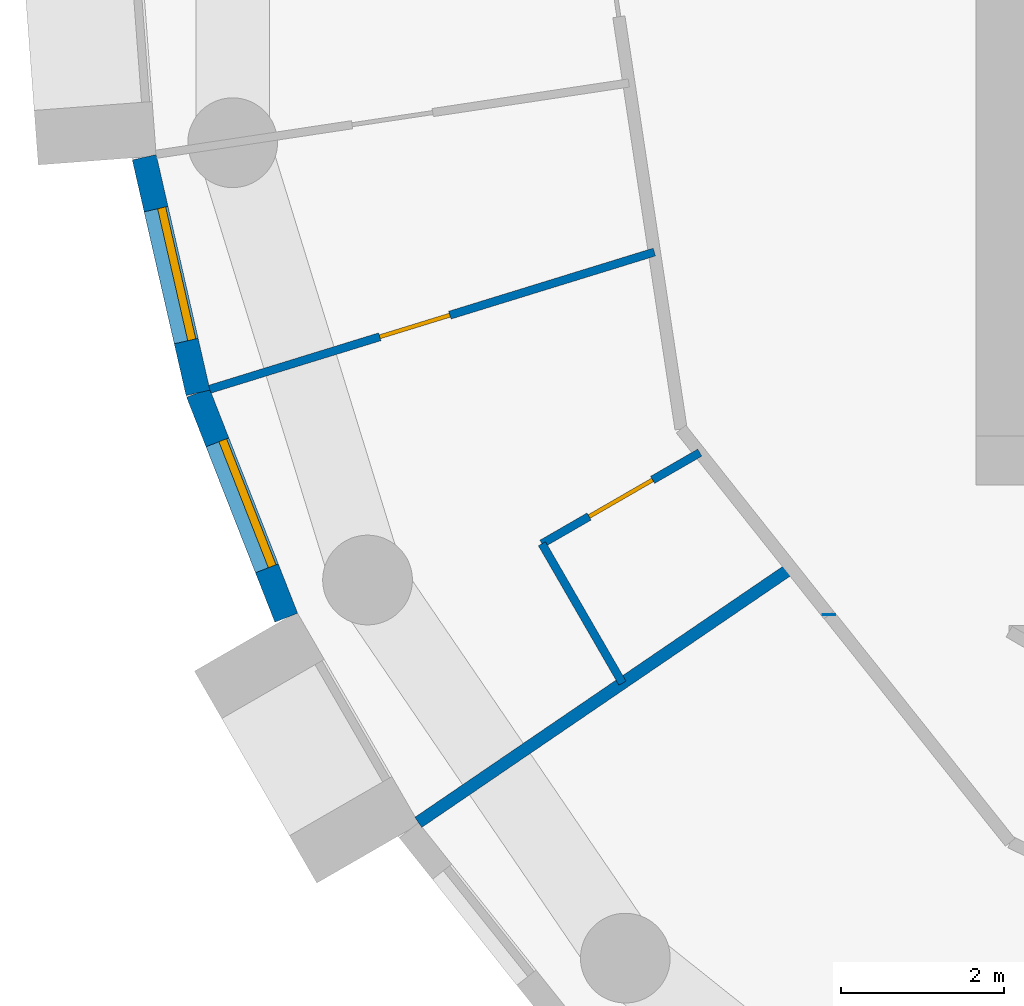
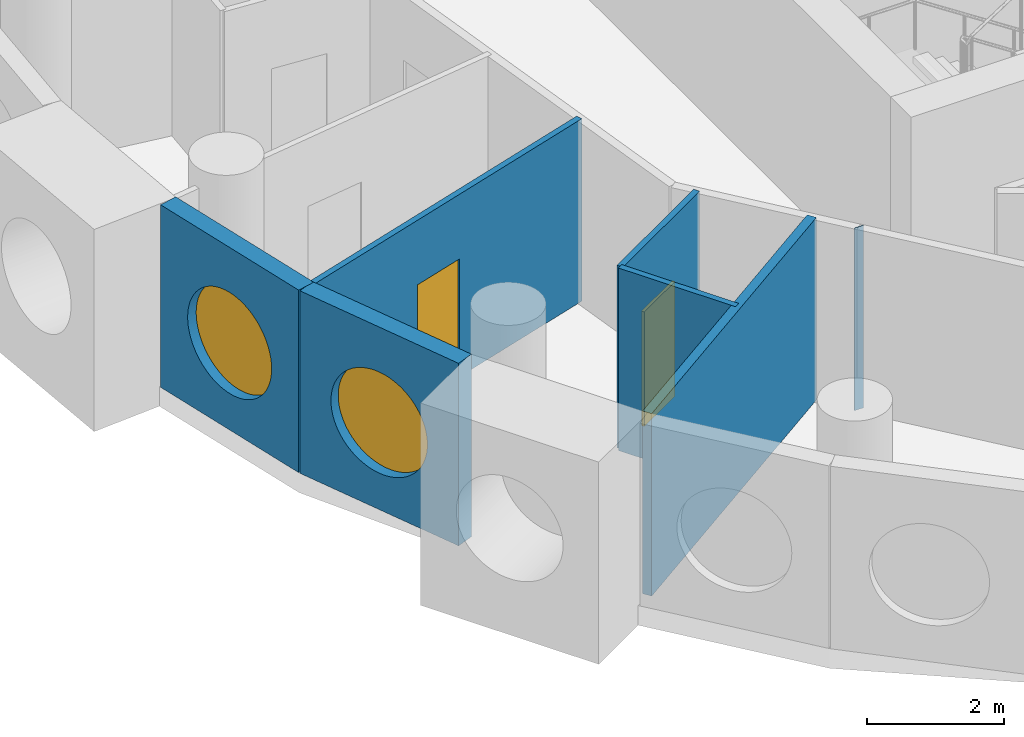
# One storey, part 2 of 11: 7 walls, 2 doors, 2 windows, 4 openings.
"""IFC4 building model written with IfcOpenShell, lengths in metres."""

import ifcopenshell
import ifcopenshell.guid

model = None  # the IFC model being written
_history = None  # IfcOwnerHistory: only IFC2X3 demands one
_inside = {}  # id of a spatial element -> (the spatial element, [elements in it])
_under = {}  # id of a project, library or spatial element -> (it, [spatial elements below it])
_declared = {}  # id of a project -> (the project, [libraries it declares])
_typed = {}  # id of a type object -> (the type object, [elements of that type])
_made_of = {}  # id of a material, layer set ... -> (it, [elements and type objects made of it])


def new_model(schema):
    """Start an empty IFC model of exactly this schema.

    Asked for "IFC4X3", IfcOpenShell would pick the latest addendum, in which some entities
    have other attributes; the version numbers below select the first issue.
    IFC2X3 requires an IfcOwnerHistory on every rooted entity: one is made here for all.
    """
    global model, _history
    if schema == "IFC4X3":
        model = ifcopenshell.file(schema_version=(4, 3, 0, 0))
    else:
        model = ifcopenshell.file(schema=schema)
    _inside.clear()
    _under.clear()
    _declared.clear()
    _typed.clear()
    _made_of.clear()
    _history = None
    if model.schema == "IFC2X3":
        org = make("IfcOrganization", Name="unknown")
        user = make(
            "IfcPersonAndOrganization",
            ThePerson=make("IfcPerson", FamilyName="unknown"),
            TheOrganization=org,
        )
        app = make(
            "IfcApplication",
            ApplicationDeveloper=org,
            Version="unknown",
            ApplicationFullName="unknown",
            ApplicationIdentifier="unknown",
        )
        _history = make(
            "IfcOwnerHistory",
            OwningUser=user,
            OwningApplication=app,
            ChangeAction="ADDED",
            CreationDate=0,
        )
    return model


def make(cls, **values):
    """One entity of the class cls with the attributes given. An attribute that is None is left unset."""
    return model.create_entity(
        cls, **{name: value for name, value in values.items() if value is not None}
    )


def rooted(cls, **values):
    """An entity with a GlobalId (a new one), such as an element, a storey or a relation."""
    return make(cls, GlobalId=ifcopenshell.guid.new(), OwnerHistory=_history, **values)


def si_unit(unit_type, name, prefix=None):
    """IfcSIUnit, for example si_unit("LENGTHUNIT", "METRE", prefix="MILLI")."""
    return make("IfcSIUnit", UnitType=unit_type, Prefix=prefix, Name=name)


def assignment(units):
    """IfcUnitAssignment: the units of a project."""
    return None if units is None else make("IfcUnitAssignment", Units=units)


def point(xyz):
    """IfcCartesianPoint."""
    return None if xyz is None else make("IfcCartesianPoint", Coordinates=xyz)


def direction(xyz):
    """IfcDirection."""
    return None if xyz is None else make("IfcDirection", DirectionRatios=xyz)


def frame(location, z_axis=None, x_axis=None):
    """IfcAxis2Placement3D, a coordinate frame: its origin and axes. An axis left out is left unset."""
    return make(
        "IfcAxis2Placement3D",
        Location=point(location),
        Axis=direction(z_axis),
        RefDirection=direction(x_axis),
    )


def frame_2d(location, x_axis=None):
    """IfcAxis2Placement2D, a coordinate frame in the plane: its origin and x axis."""
    return make(
        "IfcAxis2Placement2D", Location=point(location), RefDirection=direction(x_axis)
    )


def origin():
    """The frame at (0, 0, 0) with its axes left unset."""
    return frame((0.0, 0.0, 0.0))


def origin_2d():
    """The frame at (0, 0) in the plane with its x axis left unset."""
    return frame_2d((0.0, 0.0))


def place(relative_to, where):
    """IfcLocalPlacement: puts the frame where relative to a parent placement (None: the world)."""
    return make(
        "IfcLocalPlacement", PlacementRelTo=relative_to, RelativePlacement=where
    )


def context(
    kind, dimensions, precision=None, world=None, true_north=None, identifier=None
):
    """IfcGeometricRepresentationContext, for example the 3D "Model" context."""
    return make(
        "IfcGeometricRepresentationContext",
        ContextIdentifier=identifier,
        ContextType=kind,
        CoordinateSpaceDimension=dimensions,
        Precision=precision,
        WorldCoordinateSystem=world,
        TrueNorth=true_north,
    )


def subcontext(parent, identifier, kind, view, scale=None):
    """IfcGeometricRepresentationSubContext, for example "Body" below "Model"."""
    return make(
        "IfcGeometricRepresentationSubContext",
        ContextIdentifier=identifier,
        ContextType=kind,
        ParentContext=parent,
        TargetScale=scale,
        TargetView=view,
    )


def project(units=None, contexts=None):
    """IfcProject with its units and contexts."""
    return rooted(
        "IfcProject",
        Name="project",
        RepresentationContexts=contexts,
        UnitsInContext=assignment(units),
    )


def spatial(cls, under=None, at=None, **own):
    """A site, building, storey or space (cls), placed at a placement, below another one or the project."""
    s = rooted(cls, ObjectPlacement=at, **own)
    if under is not None:
        _under.setdefault(under.id(), (under, []))[1].append(s)
    return s


def profile(cls, at=None, kind="AREA", **sizes):
    """A parametric profile (cls). Its sizes go by their IFC names, for example OverallWidth=200.0."""
    return make(cls, ProfileType=kind, Position=at, **sizes)


def rectangle(**sizes):
    """IfcRectangleProfileDef."""
    return profile("IfcRectangleProfileDef", **sizes)


def circle(**sizes):
    """IfcCircleProfileDef."""
    return profile("IfcCircleProfileDef", **sizes)


def extrude(swept, where, along, depth):
    """IfcExtrudedAreaSolid: the profile swept, set in the frame where, extruded along a direction by depth."""
    return make(
        "IfcExtrudedAreaSolid",
        SweptArea=swept,
        Position=where,
        ExtrudedDirection=direction(along),
        Depth=depth,
    )


def shape(context_of_items, identifier, shape_type, items):
    """IfcShapeRepresentation: the items that make up one representation, for example the "Body"."""
    return make(
        "IfcShapeRepresentation",
        ContextOfItems=context_of_items,
        RepresentationIdentifier=identifier,
        RepresentationType=shape_type,
        Items=items,
    )


def material(Name=None, Category=None):
    """IfcMaterial."""
    return make("IfcMaterial", Name=Name, Category=Category)


def layer(
    of_material, thickness, ventilated=None, Name=None, Category=None, Priority=None
):
    """IfcMaterialLayer: one layer of a wall or slab, of a material (None: an air gap)."""
    return make(
        "IfcMaterialLayer",
        Material=of_material,
        LayerThickness=thickness,
        IsVentilated=ventilated,
        Name=Name,
        Category=Category,
        Priority=Priority,
    )


def layer_set(layers, Name=None):
    """IfcMaterialLayerSet."""
    return make("IfcMaterialLayerSet", MaterialLayers=layers, LayerSetName=Name)


def made_of(thing, what):
    """Note that an element or type object is made of a material, layer set ...; save() writes the relation."""
    if what is not None:
        _made_of.setdefault(what.id(), (what, []))[1].append(thing)
    return thing


def type_object(cls, material=None, **own):
    """A type object (cls), such as IfcWallType, which elements share."""
    return made_of(rooted(cls, **own), material)


def element(
    cls,
    number,
    at=None,
    inside=None,
    cuts=None,
    type_object=None,
    material=None,
    context=None,
    identifier="Body",
    shape_type=None,
    held_by="IfcProductDefinitionShape",
    body=None,
    shapes=None,
    **own,
):
    """One element of the class cls, such as IfcWall. Its Tag is "e" and its number.

    at: its placement. inside: the storey or other place that contains it. cuts: it is an
    opening in that element (IfcRelVoidsElement). A single representation is given by context,
    identifier, shape_type and body (its items); several are given by shapes. held_by: the class
    of the entity that holds the representations. save() writes the other relations.
    """
    e = rooted(cls, Tag="e%d" % number, ObjectPlacement=at, **own)
    if body is not None:
        shapes = [shape(context, identifier, shape_type, body)]
    if shapes is not None:
        e.Representation = make(held_by, Representations=shapes)
    if inside is not None:
        _inside.setdefault(inside.id(), (inside, []))[1].append(e)
    if cuts is not None:
        rooted(
            "IfcRelVoidsElement", RelatingBuildingElement=cuts, RelatedOpeningElement=e
        )
    if type_object is not None:
        _typed.setdefault(type_object.id(), (type_object, []))[1].append(e)
    return made_of(e, material)


def fill(opening, filler):
    """IfcRelFillsElement: the door or window that sits in an opening."""
    return rooted(
        "IfcRelFillsElement",
        RelatingOpeningElement=opening,
        RelatedBuildingElement=filler,
    )


def aggregate(whole, parts):
    """IfcRelAggregates: a whole, such as a stair, and the parts it consists of."""
    return rooted("IfcRelAggregates", RelatingObject=whole, RelatedObjects=parts)


def save(model, path):
    """Write the relations noted so far, then the file.

    IfcRelAggregates (storeys below a building ...), IfcRelContainedInSpatialStructure (elements
    in a storey), IfcRelDefinesByType, IfcRelAssociatesMaterial and IfcRelDeclares: one each for
    every whole, place, type object, material and project.
    """
    for whole, parts in _under.values():
        aggregate(whole, parts)
    for where, things in _inside.values():
        rooted(
            "IfcRelContainedInSpatialStructure",
            RelatedElements=things,
            RelatingStructure=where,
        )
    for kind, things in _typed.values():
        rooted("IfcRelDefinesByType", RelatedObjects=things, RelatingType=kind)
    for what, things in _made_of.values():
        rooted("IfcRelAssociatesMaterial", RelatedObjects=things, RelatingMaterial=what)
    for by, libraries in _declared.values():
        rooted("IfcRelDeclares", RelatingContext=by, RelatedDefinitions=libraries)
    model.write(path)


model = new_model("IFC4")

# Units and contexts
model_context = context("Model", 3, precision=1e-05, world=origin(), true_north=direction((0.0, 1.0)))
body_context = subcontext(model_context, "Body", "Model", "MODEL_VIEW")
ifc_project = project(units=[si_unit("LENGTHUNIT", "METRE"), si_unit("AREAUNIT", "SQUARE_METRE"), si_unit("VOLUMEUNIT", "CUBIC_METRE"), si_unit("PLANEANGLEUNIT", "RADIAN"), si_unit("MASSUNIT", "GRAM", prefix="KILO")], contexts=[model_context])

# Site, building, storey
site_placement = place(None, origin())
site = spatial("IfcSite", under=ifc_project, at=site_placement, CompositionType="ELEMENT")
building_placement = place(site_placement, origin())
building = spatial("IfcBuilding", under=site, at=building_placement, Name="Tracery Tower", CompositionType="ELEMENT")
storey_placement = place(building_placement, frame((0.0, 0.0, 263.39990234375)))
storey = spatial("IfcBuildingStorey", under=building, at=storey_placement, Name="L68", CompositionType="ELEMENT", Elevation=263.39990234375)

# Wall, opening, window
ifc_material_1 = material(Name="Precast concrete C50/60", Category="concrete")
ifc_layer_1 = layer(ifc_material_1, 0.300048828125)
ifc_layer_set_1 = layer_set([ifc_layer_1], Name="Facade panel 3000 x 3250")
wall_type_1 = type_object("IfcWallType", Name="Facade panel 3000 x 3250", PredefinedType="SOLIDWALL", material=ifc_layer_set_1)
wall_1_placement = place(storey_placement, frame((-19.69580078125, -2.984130859375, 0.0), z_axis=(0.0, 0.0, 1.0), x_axis=(0.222529389789, -0.974925982155, 0.0)))
wall_1 = element("IfcWall", 1, at=wall_1_placement, inside=storey, type_object=wall_type_1, Name="Facade panel 23 at L68", PredefinedType="SOLIDWALL", context=body_context, shape_type="SweptSolid", body=[
    extrude(rectangle(XDim=2.962158203125, YDim=0.300048828125, at=frame_2d((1.48095703125, 0.0))), origin(), (0.0, 0.0, 1.0), 3.25),
])
opening_1_placement = place(wall_1_placement, frame((1.48095703125, 0.0, 1.5498046875)))
opening_1 = element("IfcOpeningElement", 2, at=opening_1_placement, cuts=wall_1, Name="Opening WN1", PredefinedType="OPENING", context=body_context, shape_type="SweptSolid", body=[
    extrude(circle(Radius=0.9000244140625, at=origin_2d()), frame((0.0, 0.159912109375, 0.0), z_axis=(0.0, -1.0, 0.0), x_axis=(1.0, 0.0, 0.0)), (0.0, 0.0, 1.0), 0.320068359375),
])
ifc_material_2 = material(Name="Aluminium frame with tinted double glazing", Category="aluminium")
window_type = type_object("IfcWindowType", Name="Round window 1800", PartitioningType="SINGLE_PANEL", PredefinedType="WINDOW", material=ifc_material_2)
window_1_placement = place(opening_1_placement, origin())
window_1 = element("IfcWindow", 3, at=window_1_placement, inside=storey, type_object=window_type, Name="Round window 23 at L68", OverallHeight=1.800048828125, OverallWidth=1.800048828125, PartitioningType="SINGLE_PANEL", PredefinedType="WINDOW", context=body_context, shape_type="SweptSolid", body=[
    extrude(circle(Radius=0.9000244140625, at=origin_2d()), frame((0.0, 0.1201171875, 0.0), z_axis=(0.0, -1.0, 0.0), x_axis=(1.0, 0.0, 0.0)), (0.0, 0.0, 1.0), 0.10009765625),
])
fill(opening_1, window_1)

wall_2_placement = place(storey_placement, frame((-19.03662109375, -5.8720703125, 0.0), z_axis=(0.0, 0.0, 1.0), x_axis=(0.36530043032, -0.930889679612, 0.0)))
wall_2 = element("IfcWall", 4, at=wall_2_placement, inside=storey, type_object=wall_type_1, Name="Facade panel 24 at L68", PredefinedType="SOLIDWALL", context=body_context, shape_type="SweptSolid", body=[
    extrude(rectangle(XDim=2.9619140625, YDim=0.300048828125, at=frame_2d((1.48095703125, 0.0))), origin(), (0.0, 0.0, 1.0), 3.25),
])
opening_2_placement = place(wall_2_placement, frame((1.48095703125, 0.0, 1.5498046875)))
opening_2 = element("IfcOpeningElement", 5, at=opening_2_placement, cuts=wall_2, Name="Opening WN1", PredefinedType="OPENING", context=body_context, shape_type="SweptSolid", body=[
    extrude(circle(Radius=0.9000244140625, at=origin_2d()), frame((0.0, 0.159912109375, 0.0), z_axis=(0.0, -1.0, 0.0), x_axis=(1.0, 0.0, 0.0)), (0.0, 0.0, 1.0), 0.320068359375),
])
window_2_placement = place(opening_2_placement, origin())
window_2 = element("IfcWindow", 6, at=window_2_placement, inside=storey, type_object=window_type, Name="Round window 24 at L68", OverallHeight=1.800048828125, OverallWidth=1.800048828125, PartitioningType="SINGLE_PANEL", PredefinedType="WINDOW", context=body_context, shape_type="SweptSolid", body=[
    extrude(circle(Radius=0.9000244140625, at=origin_2d()), frame((0.0, 0.1201171875, 0.0), z_axis=(0.0, -1.0, 0.0), x_axis=(1.0, 0.0, 0.0)), (0.0, 0.0, 1.0), 0.10009765625),
])
fill(opening_2, window_2)

# Wall, opening, door
ifc_material_3 = material(Name="Plasterboard on steel studs", Category="steel")
ifc_layer_2 = layer(ifc_material_3, 0.10009765625)
ifc_layer_set_2 = layer_set([ifc_layer_2], Name="Partition 100 stud")
wall_type_2 = type_object("IfcWallType", Name="Partition 100 stud", PredefinedType="PARTITIONING", material=ifc_layer_set_2)
wall_3_placement = place(storey_placement, frame((-18.89306640625, -5.827880859375, 0.0), z_axis=(0.0, 0.0, 1.0), x_axis=(0.955552020905, 0.294822548908, 0.0)))
wall_3 = element("IfcWall", 7, at=wall_3_placement, inside=storey, type_object=wall_type_2, Name="Stud partition RC4-057", PredefinedType="PARTITIONING", context=body_context, shape_type="SweptSolid", body=[
    extrude(rectangle(XDim=5.704833984375, YDim=0.10009765625, at=frame_2d((2.8525390625, 0.0))), origin(), (0.0, 0.0, 1.0), 3.25),
])
opening_3_placement = place(wall_3_placement, frame((2.181640625, 0.0, 0.0)))
opening_3 = element("IfcOpeningElement", 8, at=opening_3_placement, cuts=wall_3, Name="Opening RC4-18", PredefinedType="OPENING", context=body_context, shape_type="SweptSolid", body=[
    extrude(rectangle(XDim=0.89990234375, YDim=2.10009765625, at=frame_2d((0.449951171875, 1.050048828125))), frame((0.0, 0.050048828125, 0.0), z_axis=(0.0, -1.0, 0.0), x_axis=(1.0, 0.0, 0.0)), (0.0, 0.0, 1.0), 0.10009765625),
])
ifc_material_4 = material(Name="Timber door leaf", Category="wood")
door_type_1 = type_object("IfcDoorType", Name="Door bedroom 900", OperationType="NOTDEFINED", PredefinedType="DOOR", material=ifc_material_4)
door_1_placement = place(opening_3_placement, origin())
door_1 = element("IfcDoor", 9, at=door_1_placement, inside=storey, type_object=door_type_1, Name="Bedroom door RC4-18", OperationType="SINGLE_SWING_RIGHT", OverallHeight=2.10009765625, OverallWidth=0.89990234375, PredefinedType="DOOR", context=body_context, shape_type="SweptSolid", body=[
    extrude(rectangle(XDim=0.89990234375, YDim=2.10009765625, at=frame_2d((0.449951171875, 1.050048828125))), frame((0.0, 0.02490234375, 0.0), z_axis=(0.0, -1.0, 0.0), x_axis=(1.0, 0.0, 0.0)), (0.0, 0.0, 1.0), 0.050048828125),
])
fill(opening_3, door_1)

ifc_material_5 = material(Name="Plasterboard on steel studs", Category="steel")
ifc_layer_3 = layer(ifc_material_5, 0.10009765625)
ifc_layer_set_3 = layer_set([ifc_layer_3], Name="Partition 100 wet wall")
wall_type_3 = type_object("IfcWallType", Name="Partition 100 wet wall", PredefinedType="PARTITIONING", material=ifc_layer_set_3)
wall_4_placement = place(storey_placement, frame((-14.820068359375, -7.721923828125, 0.0), z_axis=(0.0, 0.0, 1.0), x_axis=(0.866076416361, 0.499911633214, 0.0)))
wall_4 = element("IfcWall", 10, at=wall_4_placement, inside=storey, type_object=wall_type_3, Name="Wet wall RC4-061", PredefinedType="PARTITIONING", context=body_context, shape_type="SweptSolid", body=[
    extrude(rectangle(XDim=2.234375, YDim=0.10009765625, at=frame_2d((1.1171875, 0.0))), origin(), (0.0, 0.0, 1.0), 3.25),
])
opening_4_placement = place(wall_4_placement, frame((0.667236328125, 0.0, 0.0)))
opening_4 = element("IfcOpeningElement", 11, at=opening_4_placement, cuts=wall_4, Name="Opening RC4-19", PredefinedType="OPENING", context=body_context, shape_type="SweptSolid", body=[
    extrude(rectangle(XDim=0.89990234375, YDim=2.0400390625, at=frame_2d((0.449951171875, 1.02001953125))), frame((0.0, 0.050048828125, 0.0), z_axis=(0.0, -1.0, 0.0), x_axis=(1.0, 0.0, 0.0)), (0.0, 0.0, 1.0), 0.10009765625),
])
ifc_material_6 = material(Name="Timber door leaf", Category="wood")
door_type_2 = type_object("IfcDoorType", Name="Door en-suite 900", OperationType="NOTDEFINED", PredefinedType="DOOR", material=ifc_material_6)
door_2_placement = place(opening_4_placement, origin())
door_2 = element("IfcDoor", 12, at=door_2_placement, inside=storey, type_object=door_type_2, Name="En-suite door RC4-19", OperationType="SINGLE_SWING_LEFT", OverallHeight=2.0400390625, OverallWidth=0.89990234375, PredefinedType="DOOR", context=body_context, shape_type="SweptSolid", body=[
    extrude(rectangle(XDim=0.89990234375, YDim=2.0400390625, at=frame_2d((0.449951171875, 1.02001953125))), frame((0.0, 0.02490234375, 0.0), z_axis=(0.0, -1.0, 0.0), x_axis=(1.0, 0.0, 0.0)), (0.0, 0.0, 1.0), 0.050048828125),
])
fill(opening_4, door_2)

# Walls
wall_5_placement = place(storey_placement, frame((-14.820068359375, -7.721923828125, 0.0), z_axis=(0.0, 0.0, 1.0), x_axis=(0.500143626598, -0.865942465048, 0.0)))
element("IfcWall", 13, at=wall_5_placement, inside=storey, type_object=wall_type_3, Name="Wet wall RC4-062", PredefinedType="PARTITIONING", context=body_context, shape_type="SweptSolid", body=[
    extrude(rectangle(XDim=1.9736328125, YDim=0.10009765625, at=frame_2d((0.98681640625, 0.0))), origin(), (0.0, 0.0, 1.0), 3.25),
])
ifc_material_7 = material(Name="Plasterboard on steel studs", Category="steel")
ifc_layer_4 = layer(ifc_material_7, 0.14990234375)
ifc_layer_set_4 = layer_set([ifc_layer_4], Name="Partition 150 acoustic unit wall")
wall_type_4 = type_object("IfcWallType", Name="Partition 150 acoustic unit wall", PredefinedType="PARTITIONING", material=ifc_layer_set_4)
wall_6_placement = place(storey_placement, frame((-16.3359375, -11.137939453125, 0.0), z_axis=(0.0, 0.0, 1.0), x_axis=(0.82615274451, 0.563446219917, 0.0)))
element("IfcWall", 14, at=wall_6_placement, inside=storey, type_object=wall_type_4, Name="Unit wall RC4-063", PredefinedType="PARTITIONING", context=body_context, shape_type="SweptSolid", body=[
    extrude(rectangle(XDim=5.539794921875, YDim=0.14990234375, at=frame_2d((2.77001953125, 0.0))), origin(), (0.0, 0.0, 1.0), 3.25),
])
ifc_material_8 = material(Name="Plasterboard on steel studs", Category="steel")
ifc_layer_5 = layer(ifc_material_8, 0.14990234375)
ifc_layer_set_5 = layer_set([ifc_layer_5], Name="Partition 150 corridor wall")
wall_type_5 = type_object("IfcWallType", Name="Partition 150 corridor wall", PredefinedType="PARTITIONING", material=ifc_layer_set_5)
wall_7_placement = place(storey_placement, frame((-11.300048828125, -8.59619140625, 0.0), z_axis=(0.0, 0.0, 1.0), x_axis=(0.0, 1.0, 0.0)))
element("IfcWall", 15, at=wall_7_placement, inside=storey, type_object=wall_type_5, Name="Corridor wall RC4-012", PredefinedType="PARTITIONING", context=body_context, shape_type="SweptSolid", body=[
    extrude(rectangle(XDim=0.00927734375, YDim=0.14990234375, at=frame_2d((0.004638671875, 0.0))), origin(), (0.0, 0.0, 1.0), 3.25),
])

save(model, "model.ifc")
